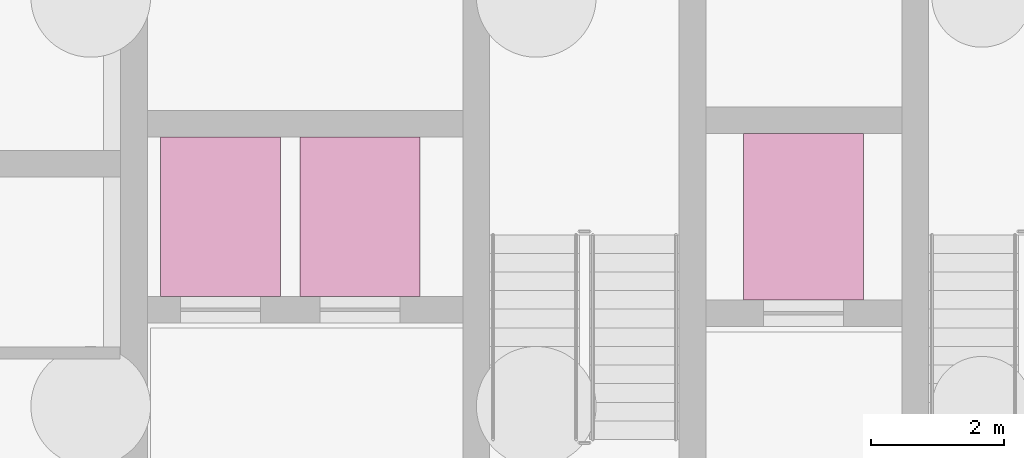
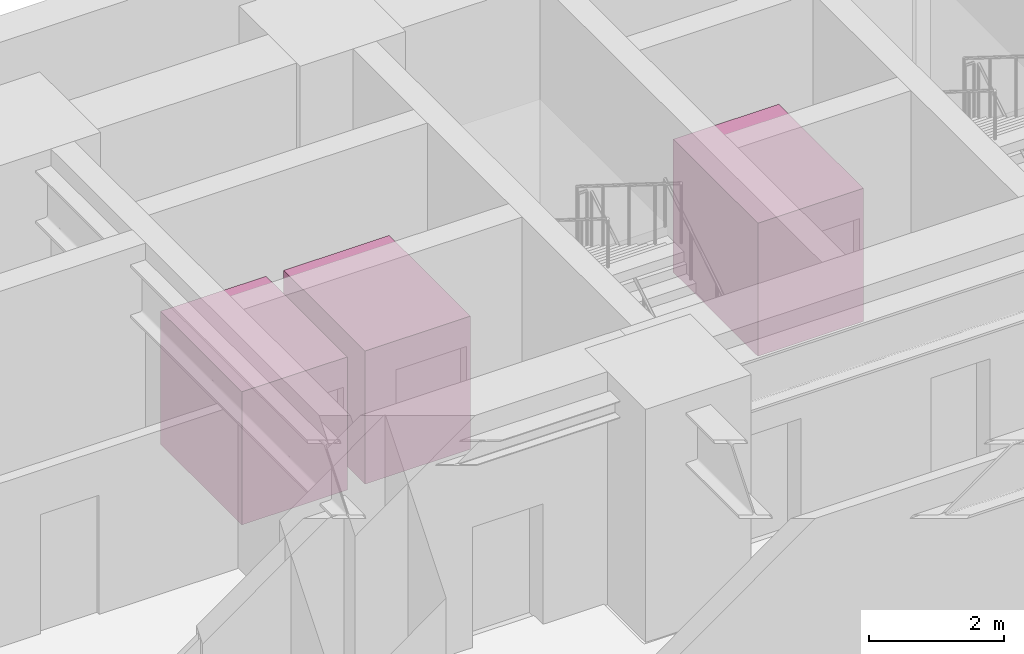
# One storey, part 12 of 12: 3 transport elements.
"""IFC4 building model written with IfcOpenShell, lengths in metres."""

import ifcopenshell
import ifcopenshell.guid

model = None  # the IFC model being written
_history = None  # IfcOwnerHistory: only IFC2X3 demands one
_inside = {}  # id of a spatial element -> (the spatial element, [elements in it])
_under = {}  # id of a project, library or spatial element -> (it, [spatial elements below it])
_declared = {}  # id of a project -> (the project, [libraries it declares])
_typed = {}  # id of a type object -> (the type object, [elements of that type])
_made_of = {}  # id of a material, layer set ... -> (it, [elements and type objects made of it])


def new_model(schema):
    """Start an empty IFC model of exactly this schema.

    Asked for "IFC4X3", IfcOpenShell would pick the latest addendum, in which some entities
    have other attributes; the version numbers below select the first issue.
    IFC2X3 requires an IfcOwnerHistory on every rooted entity: one is made here for all.
    """
    global model, _history
    if schema == "IFC4X3":
        model = ifcopenshell.file(schema_version=(4, 3, 0, 0))
    else:
        model = ifcopenshell.file(schema=schema)
    _inside.clear()
    _under.clear()
    _declared.clear()
    _typed.clear()
    _made_of.clear()
    _history = None
    if model.schema == "IFC2X3":
        org = make("IfcOrganization", Name="unknown")
        user = make(
            "IfcPersonAndOrganization",
            ThePerson=make("IfcPerson", FamilyName="unknown"),
            TheOrganization=org,
        )
        app = make(
            "IfcApplication",
            ApplicationDeveloper=org,
            Version="unknown",
            ApplicationFullName="unknown",
            ApplicationIdentifier="unknown",
        )
        _history = make(
            "IfcOwnerHistory",
            OwningUser=user,
            OwningApplication=app,
            ChangeAction="ADDED",
            CreationDate=0,
        )
    return model


def make(cls, **values):
    """One entity of the class cls with the attributes given. An attribute that is None is left unset."""
    return model.create_entity(
        cls, **{name: value for name, value in values.items() if value is not None}
    )


def rooted(cls, **values):
    """An entity with a GlobalId (a new one), such as an element, a storey or a relation."""
    return make(cls, GlobalId=ifcopenshell.guid.new(), OwnerHistory=_history, **values)


def si_unit(unit_type, name, prefix=None):
    """IfcSIUnit, for example si_unit("LENGTHUNIT", "METRE", prefix="MILLI")."""
    return make("IfcSIUnit", UnitType=unit_type, Prefix=prefix, Name=name)


def assignment(units):
    """IfcUnitAssignment: the units of a project."""
    return None if units is None else make("IfcUnitAssignment", Units=units)


def point(xyz):
    """IfcCartesianPoint."""
    return None if xyz is None else make("IfcCartesianPoint", Coordinates=xyz)


def direction(xyz):
    """IfcDirection."""
    return None if xyz is None else make("IfcDirection", DirectionRatios=xyz)


def frame(location, z_axis=None, x_axis=None):
    """IfcAxis2Placement3D, a coordinate frame: its origin and axes. An axis left out is left unset."""
    return make(
        "IfcAxis2Placement3D",
        Location=point(location),
        Axis=direction(z_axis),
        RefDirection=direction(x_axis),
    )


def frame_2d(location, x_axis=None):
    """IfcAxis2Placement2D, a coordinate frame in the plane: its origin and x axis."""
    return make(
        "IfcAxis2Placement2D", Location=point(location), RefDirection=direction(x_axis)
    )


def origin():
    """The frame at (0, 0, 0) with its axes left unset."""
    return frame((0.0, 0.0, 0.0))


def origin_2d():
    """The frame at (0, 0) in the plane with its x axis left unset."""
    return frame_2d((0.0, 0.0))


def place(relative_to, where):
    """IfcLocalPlacement: puts the frame where relative to a parent placement (None: the world)."""
    return make(
        "IfcLocalPlacement", PlacementRelTo=relative_to, RelativePlacement=where
    )


def context(
    kind, dimensions, precision=None, world=None, true_north=None, identifier=None
):
    """IfcGeometricRepresentationContext, for example the 3D "Model" context."""
    return make(
        "IfcGeometricRepresentationContext",
        ContextIdentifier=identifier,
        ContextType=kind,
        CoordinateSpaceDimension=dimensions,
        Precision=precision,
        WorldCoordinateSystem=world,
        TrueNorth=true_north,
    )


def subcontext(parent, identifier, kind, view, scale=None):
    """IfcGeometricRepresentationSubContext, for example "Body" below "Model"."""
    return make(
        "IfcGeometricRepresentationSubContext",
        ContextIdentifier=identifier,
        ContextType=kind,
        ParentContext=parent,
        TargetScale=scale,
        TargetView=view,
    )


def project(units=None, contexts=None):
    """IfcProject with its units and contexts."""
    return rooted(
        "IfcProject",
        Name="project",
        RepresentationContexts=contexts,
        UnitsInContext=assignment(units),
    )


def spatial(cls, under=None, at=None, **own):
    """A site, building, storey or space (cls), placed at a placement, below another one or the project."""
    s = rooted(cls, ObjectPlacement=at, **own)
    if under is not None:
        _under.setdefault(under.id(), (under, []))[1].append(s)
    return s


def profile(cls, at=None, kind="AREA", **sizes):
    """A parametric profile (cls). Its sizes go by their IFC names, for example OverallWidth=200.0."""
    return make(cls, ProfileType=kind, Position=at, **sizes)


def rectangle(**sizes):
    """IfcRectangleProfileDef."""
    return profile("IfcRectangleProfileDef", **sizes)


def extrude(swept, where, along, depth):
    """IfcExtrudedAreaSolid: the profile swept, set in the frame where, extruded along a direction by depth."""
    return make(
        "IfcExtrudedAreaSolid",
        SweptArea=swept,
        Position=where,
        ExtrudedDirection=direction(along),
        Depth=depth,
    )


def shape(context_of_items, identifier, shape_type, items):
    """IfcShapeRepresentation: the items that make up one representation, for example the "Body"."""
    return make(
        "IfcShapeRepresentation",
        ContextOfItems=context_of_items,
        RepresentationIdentifier=identifier,
        RepresentationType=shape_type,
        Items=items,
    )


def material(Name=None, Category=None):
    """IfcMaterial."""
    return make("IfcMaterial", Name=Name, Category=Category)


def made_of(thing, what):
    """Note that an element or type object is made of a material, layer set ...; save() writes the relation."""
    if what is not None:
        _made_of.setdefault(what.id(), (what, []))[1].append(thing)
    return thing


def type_object(cls, material=None, **own):
    """A type object (cls), such as IfcWallType, which elements share."""
    return made_of(rooted(cls, **own), material)


def element(
    cls,
    number,
    at=None,
    inside=None,
    cuts=None,
    type_object=None,
    material=None,
    context=None,
    identifier="Body",
    shape_type=None,
    held_by="IfcProductDefinitionShape",
    body=None,
    shapes=None,
    **own,
):
    """One element of the class cls, such as IfcWall. Its Tag is "e" and its number.

    at: its placement. inside: the storey or other place that contains it. cuts: it is an
    opening in that element (IfcRelVoidsElement). A single representation is given by context,
    identifier, shape_type and body (its items); several are given by shapes. held_by: the class
    of the entity that holds the representations. save() writes the other relations.
    """
    e = rooted(cls, Tag="e%d" % number, ObjectPlacement=at, **own)
    if body is not None:
        shapes = [shape(context, identifier, shape_type, body)]
    if shapes is not None:
        e.Representation = make(held_by, Representations=shapes)
    if inside is not None:
        _inside.setdefault(inside.id(), (inside, []))[1].append(e)
    if cuts is not None:
        rooted(
            "IfcRelVoidsElement", RelatingBuildingElement=cuts, RelatedOpeningElement=e
        )
    if type_object is not None:
        _typed.setdefault(type_object.id(), (type_object, []))[1].append(e)
    return made_of(e, material)


def aggregate(whole, parts):
    """IfcRelAggregates: a whole, such as a stair, and the parts it consists of."""
    return rooted("IfcRelAggregates", RelatingObject=whole, RelatedObjects=parts)


def save(model, path):
    """Write the relations noted so far, then the file.

    IfcRelAggregates (storeys below a building ...), IfcRelContainedInSpatialStructure (elements
    in a storey), IfcRelDefinesByType, IfcRelAssociatesMaterial and IfcRelDeclares: one each for
    every whole, place, type object, material and project.
    """
    for whole, parts in _under.values():
        aggregate(whole, parts)
    for where, things in _inside.values():
        rooted(
            "IfcRelContainedInSpatialStructure",
            RelatedElements=things,
            RelatingStructure=where,
        )
    for kind, things in _typed.values():
        rooted("IfcRelDefinesByType", RelatedObjects=things, RelatingType=kind)
    for what, things in _made_of.values():
        rooted("IfcRelAssociatesMaterial", RelatedObjects=things, RelatingMaterial=what)
    for by, libraries in _declared.values():
        rooted("IfcRelDeclares", RelatingContext=by, RelatedDefinitions=libraries)
    model.write(path)


model = new_model("IFC4")

# Units and contexts
model_context = context("Model", 3, precision=1e-05, world=origin(), true_north=direction((0.0, 1.0)))
body_context = subcontext(model_context, "Body", "Model", "MODEL_VIEW")
ifc_project = project(units=[si_unit("LENGTHUNIT", "METRE"), si_unit("AREAUNIT", "SQUARE_METRE"), si_unit("VOLUMEUNIT", "CUBIC_METRE"), si_unit("PLANEANGLEUNIT", "RADIAN"), si_unit("MASSUNIT", "GRAM", prefix="KILO")], contexts=[model_context])

# Site, building, storey
site_placement = place(None, origin())
site = spatial("IfcSite", under=ifc_project, at=site_placement, CompositionType="ELEMENT")
building_placement = place(site_placement, origin())
building = spatial("IfcBuilding", under=site, at=building_placement, Name="Kravanh Interchange Tower", CompositionType="ELEMENT")
storey_placement = place(building_placement, frame((0.0, 0.0, -8.39990234375)))
storey = spatial("IfcBuildingStorey", under=building, at=storey_placement, Name="B2", CompositionType="ELEMENT", Elevation=-8.39990234375)

# Transport elements
ifc_material_1 = material(Name="Stainless Steel 316", Category="steel")
transport_element_type_1 = type_object("IfcTransportElementType", Name="Fire Service Access Elevator 2000kg", PredefinedType="ELEVATOR", material=ifc_material_1)
for number, where, z_axis, x_axis, name in (
    (1, (52.35009765625, 43.25, 0.0), (0.0, 0.0, 1.0), (1.0, 0.0, 0.0), "Elevator Car FSAE-01"),
    (2, (54.449951171875, 43.25, 0.0), (0.0, 0.0, 1.0), (1.0, 0.0, 0.0), "Elevator Car FSAE-02"),
):
    element("IfcTransportElement", number, at=place(storey_placement, frame(where, z_axis=z_axis, x_axis=x_axis)), inside=storey, type_object=transport_element_type_1, Name=name, PredefinedType="ELEVATOR", context=body_context, shape_type="SweptSolid", body=[
        extrude(rectangle(XDim=1.800048828125, YDim=2.39990234375, at=origin_2d()), origin(), (0.0, 0.0, 1.0), 2.39990234375),
    ])
ifc_material_2 = material(Name="Stainless Steel 304", Category="steel")
transport_element_type_2 = type_object("IfcTransportElementType", Name="Heavy Goods and Service Lift 2500kg", PredefinedType="ELEVATOR", material=ifc_material_2)
transport_element_placement = place(storey_placement, frame((61.1201171875, 43.25, 0.0), z_axis=(0.0, 0.0, 1.0), x_axis=(1.0, 0.0, 0.0)))
element("IfcTransportElement", 3, at=transport_element_placement, inside=storey, type_object=transport_element_type_2, Name="Elevator Car LS-01", PredefinedType="ELEVATOR", context=body_context, shape_type="SweptSolid", body=[
    extrude(rectangle(XDim=1.800048828125, YDim=2.5, at=origin_2d()), origin(), (0.0, 0.0, 1.0), 2.39990234375),
])

save(model, "model.ifc")
